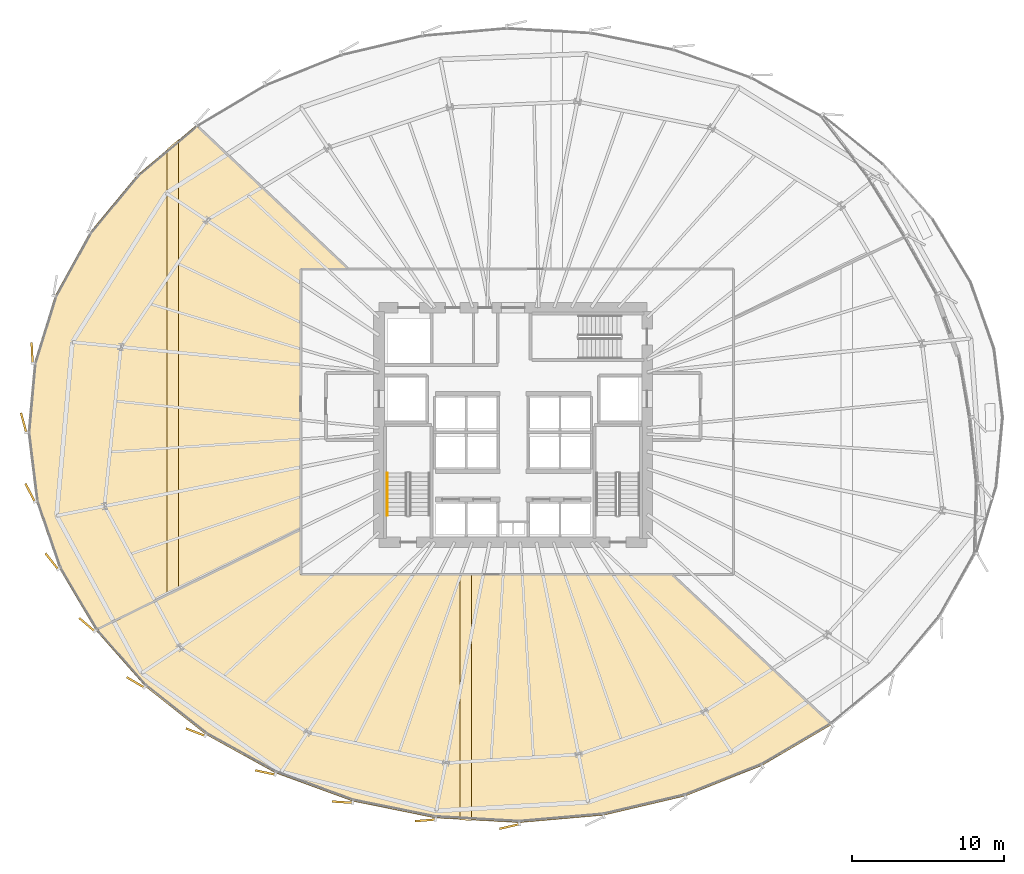
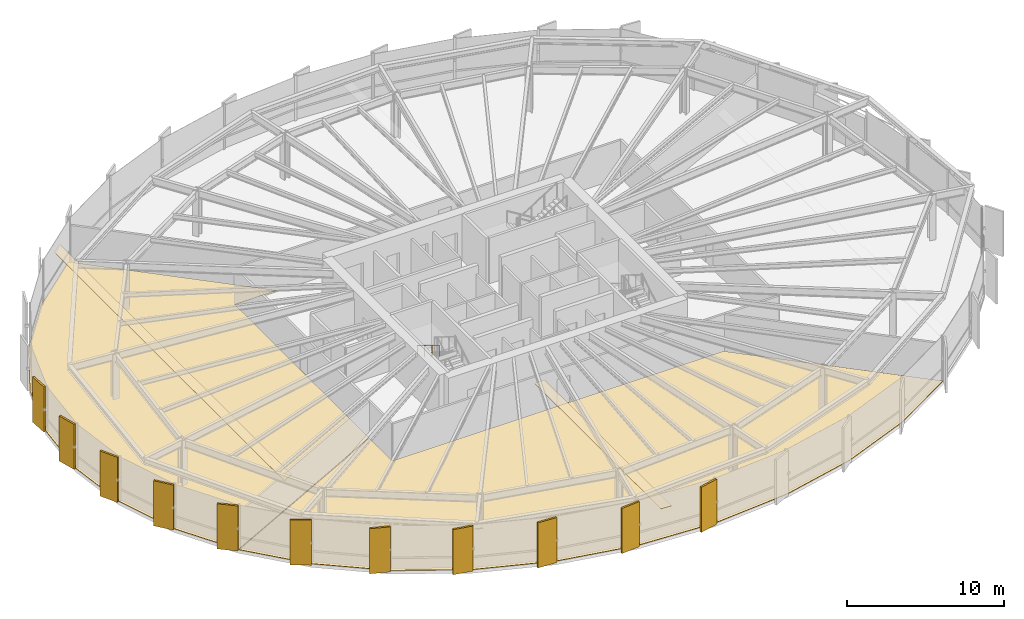
# One storey, part 34 of 39: 15 coverings, 1 railing.
"""IFC4 building model written with IfcOpenShell, lengths in metres."""

from ifc_helpers import new_model, si_unit, direction, frame, origin, origin_2d, place, context, subcontext, project, spatial, polyline, rectangle, circle, outline, extrude, source, transform, mapped, material, layer, layer_set, type_object, element, save


model = new_model("IFC4")

# Units and contexts
model_context = context("Model", 3, precision=1e-05, world=origin(), true_north=direction((0.0, 1.0)))
body_context = subcontext(model_context, "Body", "Model", "MODEL_VIEW")
ifc_project = project(units=[si_unit("LENGTHUNIT", "METRE"), si_unit("AREAUNIT", "SQUARE_METRE"), si_unit("VOLUMEUNIT", "CUBIC_METRE"), si_unit("PLANEANGLEUNIT", "RADIAN"), si_unit("MASSUNIT", "GRAM", prefix="KILO"), si_unit("THERMODYNAMICTEMPERATUREUNIT", "KELVIN")], contexts=[model_context])

# Site, building, storey
site_placement = place(None, origin())
site = spatial("IfcSite", under=ifc_project, at=site_placement, CompositionType="ELEMENT")
building_placement = place(site_placement, origin())
building = spatial("IfcBuilding", under=site, at=building_placement, Name="Kethvar Cultural Tower", CompositionType="ELEMENT")
storey_placement = place(building_placement, frame((0.0, 0.0, 33.39990234375)))
storey = spatial("IfcBuildingStorey", under=building, at=storey_placement, Name="L07", CompositionType="ELEMENT", Elevation=33.39990234375)

# Coverings
ifc_material_1 = material(Name="Acoustic Mineral Fibre Ceiling")
ifc_layer_1 = layer(ifc_material_1, 0.0400390625, Name="Acoustic Mineral Fibre Ceiling")
ifc_layer_set_1 = layer_set([ifc_layer_1], Name="Acoustic Mineral Fibre Ceiling (40 mm)")
covering_type_1 = type_object("IfcCoveringType", Name="CV-ACOUSTIC-CEIL", PredefinedType="CEILING", material=ifc_layer_set_1)
covering_1_placement = place(storey_placement, frame((0.0, 0.0, 2.340087890625)))
element("IfcCovering", 1, at=covering_1_placement, inside=storey, type_object=covering_type_1, Name="L07 Room 01 Acoustic Ceiling Panel", PredefinedType="CEILING", context=body_context, shape_type="SweptSolid", body=[
    extrude(outline(polyline([(43.321044921875, 1.859619140625), (43.321044921875, 18.0), (44.071044921875, 18.0), (44.071044921875, 1.817626953125), (43.321044921875, 1.859619140625)])), origin(), (0.0, 0.0, 1.0), 0.0400390625),
])
covering_2_placement = place(storey_placement, frame((0.0, 0.0, 2.340087890625)))
element("IfcCovering", 2, at=covering_2_placement, inside=storey, type_object=covering_type_1, Name="L07 Room 04 Acoustic Ceiling Panel", PredefinedType="CEILING", context=body_context, shape_type="SweptSolid", body=[
    extrude(outline(polyline([(24.827880859375, 46.54296875), (24.827880859375, 16.95263671875), (24.077880859375, 16.583251953125), (24.077880859375, 45.908203125), (24.827880859375, 46.54296875)])), origin(), (0.0, 0.0, 1.0), 0.0400390625),
])
ifc_material_2 = material(Name="Architectural Oak Timber", Category="wood")
ifc_layer_2 = layer(ifc_material_2, 0.02490234375, Name="Architectural Oak Timber", Category="wood")
ifc_layer_set_2 = layer_set([ifc_layer_2], Name="Architectural Oak Timber (25 mm)")
covering_type_2 = type_object("IfcCoveringType", Name="CV-OAK-FLOOR", PredefinedType="FLOORING", material=ifc_layer_set_2)
covering_3_placement = place(storey_placement, origin())
element("IfcCovering", 3, at=covering_3_placement, inside=storey, type_object=covering_type_2, Name="L07 Room 01 Floor Finish", PredefinedType="FLOORING", context=body_context, shape_type="SweptSolid", body=[
    extrude(outline(polyline([(63.15087890625, 5.43310546875), (58.10888671875, 3.42919921875), (52.7421875, 2.166015625), (47.210205078125, 1.681884765625), (41.67041015625, 1.991943359375), (36.2861328125, 3.086181640625), (31.2216796875, 4.931640625), (26.630859375, 7.471923828125), (22.65283203125, 10.629638671875), (19.4248046875, 14.290771484375), (32.830078125, 20.895263671875), (32.847900390625, 17.960205078125), (57.223388671875, 17.9599609375), (67.6923828125, 8.1044921875), (63.15087890625, 5.43310546875)])), origin(), (0.0, 0.0, 1.0), 0.025146484375),
])
covering_4_placement = place(storey_placement, origin())
element("IfcCovering", 4, at=covering_4_placement, inside=storey, type_object=covering_type_2, Name="L07 Room 04 Floor Finish", PredefinedType="FLOORING", context=body_context, shape_type="SweptSolid", body=[
    extrude(outline(polyline([(16.997314453125, 18.39794921875), (15.490966796875, 22.7724609375), (14.935791015625, 27.29931640625), (15.348388671875, 31.841552734375), (16.716552734375, 36.26123046875), (18.99853515625, 40.423828125), (22.12548828125, 44.203369140625), (25.989990234375, 47.47412109375), (35.93359375, 38.06005859375), (32.830322265625, 38.0439453125), (32.830078125, 20.939697265625), (19.400390625, 14.3232421875), (16.997314453125, 18.39794921875)])), origin(), (0.0, 0.0, 1.0), 0.025146484375),
])

# Railing
ifc_material_3 = material(Name="Steel S355J2", Category="steel")
railing_type = type_object("IfcRailingType", Name="RL-STAIR-HANDRAIL", PredefinedType="HANDRAIL", material=ifc_material_3)
railing_placement = place(storey_placement, frame((38.5400390625, 24.64990234375, 2.07275390625)))
element("IfcRailing", 5, at=railing_placement, inside=storey, type_object=railing_type, Name="L07 ST-01 stair handrail 2", PredefinedType="HANDRAIL", context=body_context, shape_type="SweptSolid", body=[
    extrude(circle(Radius=0.02392578125, at=origin_2d()), frame((0.0, 0.0, 0.8759765625), z_axis=(0.0, -0.851069175582, 0.525053576669), x_axis=(1.0, 0.0, 0.0)), (0.0, 0.0, 1.0), 3.289794921875),
    extrude(circle(Radius=0.02099609375, at=origin_2d()), origin(), (0.0, 0.0, 1.0), 0.851806640625),
    extrude(circle(Radius=0.02099609375, at=origin_2d()), frame((0.0, -0.933349609375, 0.57568359375)), (0.0, 0.0, 1.0), 0.851806640625),
    extrude(circle(Radius=0.02099609375, at=origin_2d()), frame((0.0, -1.866455078125, 1.151611328125)), (0.0, 0.0, 1.0), 0.851806640625),
    extrude(circle(Radius=0.02099609375, at=origin_2d()), frame((0.0, -2.7998046875, 1.727294921875)), (0.0, 0.0, 1.0), 0.851806640625),
])

# Coverings
ifc_material_4 = material(Name="Extruded Architectural Terracotta", Category="masonry")
ifc_layer_3 = layer(ifc_material_4, 0.135009765625, Name="Extruded Architectural Terracotta", Category="masonry")
ifc_layer_set_3 = layer_set([ifc_layer_3], Name="Extruded Architectural Terracotta (135 mm)")
covering_type_3 = type_object("IfcCoveringType", Name="Terracotta Facade Fin FIN-01", PredefinedType="CLADDING", material=ifc_layer_set_3)
shared_shape = source(origin(), body_context, "Body", "SweptSolid", [
    extrude(rectangle(XDim=1.35009765625, YDim=0.135009765625, at=origin_2d()), origin(), (0.0, 0.0, 1.0), 3.510009765625),
])
for number, where, z_axis, x_axis, name in (
    (6, (15.2158203125, 32.52685546875, 0.02001953125), (0.0, 0.0, 1.0), (-0.049024093608, 0.998797596236, 0.0), "L07 Vertical Terracotta Fin 4.4"),
    (7, (14.66162109375, 27.94140625, 0.02001953125), (0.0, 0.0, 1.0), (-0.258650455301, 0.965970984022, 0.0), "L07 Vertical Terracotta Fin 4.5"),
    (8, (15.08935546875, 23.34326171875, 0.02001953125), (0.0, 0.0, 1.0), (-0.45399049974, 0.891006524188, 0.0), "L07 Vertical Terracotta Fin 4.6"),
    (9, (16.510986328125, 18.840576171875, 0.02001953125), (0.0, 0.0, 1.0), (-0.622924323959, 0.782282101688, 0.0), "L07 Vertical Terracotta Fin 5.1"),
    (10, (18.820068359375, 14.68359375, 0.02001953125), (0.0, 0.0, 1.0), (-0.759271307335, 0.650774217266, 0.0), "L07 Vertical Terracotta Fin 5.2"),
    (11, (22.00732421875, 10.894287109375, 0.02001953125), (0.0, 0.0, 1.0), (-0.862160180834, 0.50663578889, 0.0), "L07 Vertical Terracotta Fin 5.3"),
    (12, (25.95068359375, 7.626708984375, 0.02001953125), (0.0, 0.0, 1.0), (-0.933830386995, 0.357716100175, 0.0), "L07 Vertical Terracotta Fin 5.4"),
    (13, (30.52587890625, 4.978759765625, 0.02001953125), (0.0, 0.0, 1.0), (-0.978074966272, 0.208253116068, 0.0), "L07 Vertical Terracotta Fin 5.5"),
    (14, (35.591064453125, 3.02978515625, 0.02001953125), (0.0, 0.0, 1.0), (-0.9981454382, 0.06087433122, 0.0), "L07 Vertical Terracotta Fin 5.6"),
    (15, (41.03271484375, 1.83349609375, 0.02001953125), (0.0, 0.0, 1.0), (-0.99649285925, -0.083677843332, 0.0), "L07 Vertical Terracotta Fin 6.1"),
    (16, (46.559814453125, 1.430419921875, 0.02001953125), (0.0, 0.0, 1.0), (-0.974370064785, -0.224951054344, 0.0), "L07 Vertical Terracotta Fin 6.2"),
):
    element("IfcCovering", number, at=place(storey_placement, frame(where, z_axis=z_axis, x_axis=x_axis)), inside=storey, type_object=covering_type_3, Name=name, PredefinedType="CLADDING", context=body_context, shape_type="MappedRepresentation", body=[
        mapped(shared_shape, transform((0.0, 0.0, 0.0), scale=1.0)),
    ])

save(model, "model.ifc")
